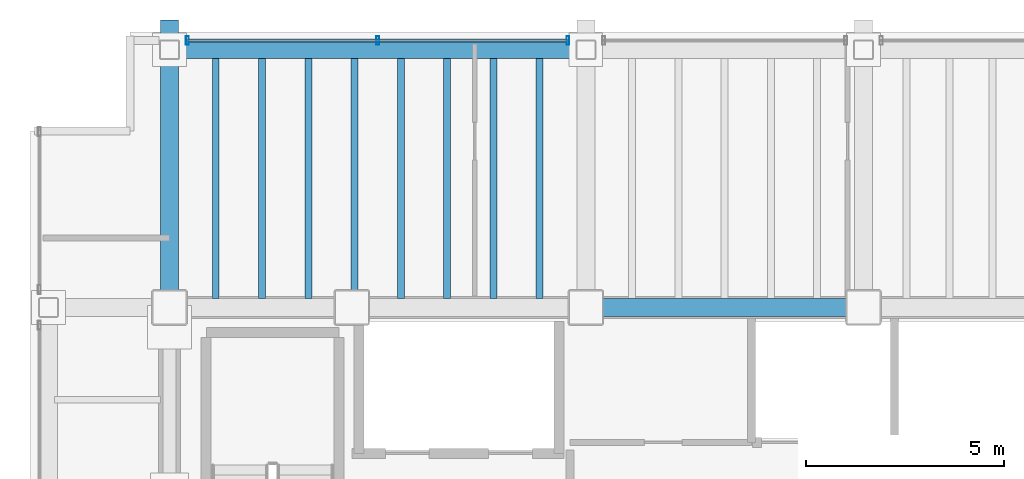
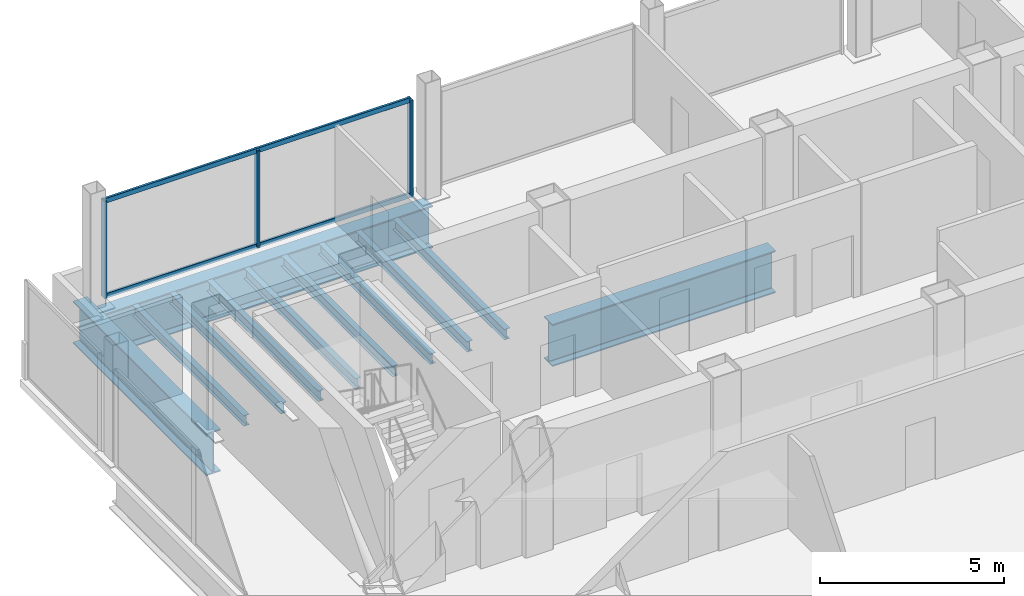
# One storey, part 9 of 19: 11 beams, 5 members, 1 element without a shape of its own.
"""IFC4 building model written with IfcOpenShell, lengths in metres."""

from ifc_helpers import new_model, si_unit, direction, frame, origin, origin_2d, place, context, subcontext, project, spatial, hollow_rectangle, i_section, extrude, material, material_profile, profile_set, type_object, element, aggregate, save


model = new_model("IFC4")

# Units and contexts
model_context = context("Model", 3, precision=1e-05, world=origin(), true_north=direction((0.0, 1.0)))
body_context = subcontext(model_context, "Body", "Model", "MODEL_VIEW")
ifc_project = project(units=[si_unit("LENGTHUNIT", "METRE"), si_unit("AREAUNIT", "SQUARE_METRE"), si_unit("VOLUMEUNIT", "CUBIC_METRE"), si_unit("PLANEANGLEUNIT", "RADIAN"), si_unit("MASSUNIT", "GRAM", prefix="KILO")], contexts=[model_context])

# Site, building, storey
site_placement = place(None, origin())
site = spatial("IfcSite", under=ifc_project, at=site_placement, CompositionType="ELEMENT")
building_placement = place(site_placement, origin())
building = spatial("IfcBuilding", under=site, at=building_placement, Name="Noeulbin Bourse Tower", CompositionType="ELEMENT")
storey_placement = place(building_placement, frame((0.0, 0.0, 169.5)))
storey = spatial("IfcBuildingStorey", under=building, at=storey_placement, Name="L42", CompositionType="ELEMENT", Elevation=169.5)

# Beams
ifc_material_1 = material(Name="Steel S355", Category="steel")
ifc_material_profile_1 = material_profile(ifc_material_1, i_section(OverallWidth=0.175048828125, OverallDepth=0.35009765625, WebThickness=0.007080078125, FlangeThickness=0.010986328125, FilletRadius=0.013916015625, at=origin_2d()), Name="H-350x175x7x11", Category="LoadBearing")
ifc_profile_set_1 = profile_set([ifc_material_profile_1], Name="Steel S355")
beam_type_1 = type_object("IfcBeamType", Name="BM-JST-350", PredefinedType="JOIST", material=ifc_profile_set_1)
for number, where, z_axis, x_axis, name in (
    (1, (14.666748046875, 38.52490234375, -0.4150390625), (0.0, 1.0, 0.0), (-1.0, 0.0, 0.0), "Tower Composite Joist L42-03"),
    (2, (15.833251953125, 38.52490234375, -0.4150390625), (0.0, 1.0, 0.0), (-1.0, 0.0, 0.0), "Tower Composite Joist L42-06"),
    (3, (17.0, 38.52490234375, -0.4150390625), (0.0, 1.0, 0.0), (-1.0, 0.0, 0.0), "Tower Composite Joist L42-09"),
    (4, (18.166748046875, 38.52490234375, -0.4150390625), (0.0, 1.0, 0.0), (-1.0, 0.0, 0.0), "Tower Composite Joist L42-12"),
    (5, (19.333251953125, 38.52490234375, -0.4150390625), (0.0, 1.0, 0.0), (-1.0, 0.0, 0.0), "Tower Composite Joist L42-15"),
    (6, (20.5, 38.52490234375, -0.4150390625), (0.0, 1.0, 0.0), (-1.0, 0.0, 0.0), "Tower Composite Joist L42-18"),
    (7, (21.666748046875, 38.52490234375, -0.4150390625), (0.0, 1.0, 0.0), (-1.0, 0.0, 0.0), "Tower Composite Joist L42-21"),
    (8, (22.833251953125, 38.52490234375, -0.4150390625), (0.0, 1.0, 0.0), (-1.0, 0.0, 0.0), "Tower Composite Joist L42-24"),
):
    element("IfcBeam", number, at=place(storey_placement, frame(where, z_axis=z_axis, x_axis=x_axis)), inside=storey, type_object=beam_type_1, Name=name, PredefinedType="JOIST", context=body_context, shape_type="SweptSolid", body=[
        extrude(i_section(OverallWidth=0.175048828125, OverallDepth=0.35009765625, WebThickness=0.007080078125, FlangeThickness=0.010986328125, FilletRadius=0.013916015625, at=origin_2d()), origin(), (0.0, 0.0, 1.0), 6.050048828125),
    ])
ifc_material_2 = material(Name="Steel S460", Category="steel")
ifc_material_profile_2 = material_profile(ifc_material_2, i_section(OverallWidth=0.449951171875, OverallDepth=1.39990234375, WebThickness=0.02392578125, FlangeThickness=0.0400390625, FilletRadius=0.02392578125, at=origin_2d()), Name="PG-1400x450x24x40", Category="LoadBearing")
ifc_profile_set_2 = profile_set([ifc_material_profile_2], Name="Steel S460")
beam_type_2 = type_object("IfcBeamType", Name="BM-TRF-1400", PredefinedType="USERDEFINED", material=ifc_profile_set_2)
beam_1_placement = place(storey_placement, frame((24.0, 38.300048828125, -0.93994140625), z_axis=(1.0, 0.0, 0.0), x_axis=(0.0, 1.0, 0.0)))
element("IfcBeam", 9, at=beam_1_placement, inside=storey, type_object=beam_type_2, Name="Tower Primary Girder EW L42-3.3", ObjectType="GIRDER", PredefinedType="USERDEFINED", context=body_context, shape_type="SweptSolid", body=[
    extrude(i_section(OverallWidth=0.449951171875, OverallDepth=1.39990234375, WebThickness=0.02392578125, FlangeThickness=0.0400390625, FilletRadius=0.02392578125, at=origin_2d()), origin(), (0.0, 0.0, 1.0), 7.0),
])
beam_2_placement = place(storey_placement, frame((13.5, 38.300048828125, -0.93994140625), z_axis=(0.0, 1.0, 0.0), x_axis=(-1.0, 0.0, 0.0)))
element("IfcBeam", 10, at=beam_2_placement, inside=storey, type_object=beam_type_2, Name="Tower Primary Girder NS L42-1.4", ObjectType="GIRDER", PredefinedType="USERDEFINED", context=body_context, shape_type="SweptSolid", body=[
    extrude(i_section(OverallWidth=0.449951171875, OverallDepth=1.39990234375, WebThickness=0.02392578125, FlangeThickness=0.0400390625, FilletRadius=0.02392578125, at=origin_2d()), origin(), (0.0, 0.0, 1.0), 7.25),
])
beam_3_placement = place(storey_placement, frame((13.5, 44.800048828125, -0.93994140625), z_axis=(1.0, 0.0, 0.0), x_axis=(0.0, 1.0, 0.0)))
element("IfcBeam", 11, at=beam_3_placement, inside=storey, type_object=beam_type_2, Name="North Spandrel L42-1", ObjectType="GIRDER", PredefinedType="USERDEFINED", context=body_context, shape_type="SweptSolid", body=[
    extrude(i_section(OverallWidth=0.449951171875, OverallDepth=1.39990234375, WebThickness=0.02392578125, FlangeThickness=0.0400390625, FilletRadius=0.02392578125, at=origin_2d()), origin(), (0.0, 0.0, 1.0), 10.5),
])

# Curtain wall, members
ifc_material_3 = material(Name="Dark Tinted Triple Glazing", Category="glass")
curtain_wall_type = type_object("IfcCurtainWallType", Name="CW-SYS-3", PredefinedType="NOTDEFINED", material=ifc_material_3)
curtain_wall_placement = place(storey_placement, origin())
curtain_wall = element("IfcCurtainWall", 12, at=curtain_wall_placement, inside=storey, type_object=curtain_wall_type, Name="Unitised Curtain Wall CW-L42-N-S1", PredefinedType="NOTDEFINED")
ifc_material_4 = material(Name="Anodised Aluminium 6063-T6", Category="aluminium")
ifc_material_profile_3 = material_profile(ifc_material_4, hollow_rectangle(XDim=0.074951171875, YDim=0.219970703125, WallThickness=0.0048828125, InnerFilletRadius=0.00244140625, OuterFilletRadius=0.0048828125, at=origin_2d()), Name="ALU-MULL-75x220x5", Category="LoadBearing")
ifc_profile_set_3 = profile_set([ifc_material_profile_3], Name="Anodised Aluminium 6063-T6")
member_type_1 = type_object("IfcMemberType", Name="CW-SYS-3-MUL", PredefinedType="MULLION", material=ifc_profile_set_3)
member_1_placement = place(storey_placement, frame((13.949951171875, 45.030029296875, -0.02001953125), z_axis=(0.0, 0.0, 1.0), x_axis=(1.0, 0.0, 0.0)))
member_1 = element("IfcMember", 13, at=member_1_placement, type_object=member_type_1, Name="Curtain Wall Mullion CW-L42-N-S1-M00", PredefinedType="MULLION", context=body_context, shape_type="SweptSolid", body=[
    extrude(hollow_rectangle(XDim=0.074951171875, YDim=0.219970703125, WallThickness=0.0048828125, InnerFilletRadius=0.00244140625, OuterFilletRadius=0.0048828125, at=origin_2d()), origin(), (0.0, 0.0, 1.0), 3.219970703125),
])
member_2_placement = place(storey_placement, frame((18.75, 45.030029296875, -0.02001953125), z_axis=(0.0, 0.0, 1.0), x_axis=(1.0, 0.0, 0.0)))
member_2 = element("IfcMember", 14, at=member_2_placement, type_object=member_type_1, Name="Curtain Wall Mullion CW-L42-N-S1-M01", PredefinedType="MULLION", context=body_context, shape_type="SweptSolid", body=[
    extrude(hollow_rectangle(XDim=0.074951171875, YDim=0.219970703125, WallThickness=0.0048828125, InnerFilletRadius=0.00244140625, OuterFilletRadius=0.0048828125, at=origin_2d()), origin(), (0.0, 0.0, 1.0), 3.219970703125),
])
member_3_placement = place(storey_placement, frame((23.550048828125, 45.030029296875, -0.02001953125), z_axis=(0.0, 0.0, 1.0), x_axis=(1.0, 0.0, 0.0)))
member_3 = element("IfcMember", 15, at=member_3_placement, type_object=member_type_1, Name="Curtain Wall Mullion CW-L42-N-S1-M02", PredefinedType="MULLION", context=body_context, shape_type="SweptSolid", body=[
    extrude(hollow_rectangle(XDim=0.074951171875, YDim=0.219970703125, WallThickness=0.0048828125, InnerFilletRadius=0.00244140625, OuterFilletRadius=0.0048828125, at=origin_2d()), origin(), (0.0, 0.0, 1.0), 3.219970703125),
])
ifc_material_profile_4 = material_profile(ifc_material_4, hollow_rectangle(XDim=0.074951171875, YDim=0.159912109375, WallThickness=0.0048828125, InnerFilletRadius=0.00244140625, OuterFilletRadius=0.0048828125, at=origin_2d()), Name="ALU-TRAN-75x160x5", Category="LoadBearing")
ifc_profile_set_4 = profile_set([ifc_material_profile_4], Name="Anodised Aluminium 6063-T6")
member_type_2 = type_object("IfcMemberType", Name="CW-SYS-3-TRN", PredefinedType="USERDEFINED", material=ifc_profile_set_4)
member_4_placement = place(storey_placement, frame((13.9599609375, 45.030029296875, 0.010009765625), z_axis=(1.0, 0.0, 0.0), x_axis=(0.0, 1.0, 0.0)))
member_4 = element("IfcMember", 16, at=member_4_placement, type_object=member_type_2, Name="Curtain Wall Transom CW-L42-N-S1-T00", ObjectType="TRANSOM", PredefinedType="USERDEFINED", context=body_context, shape_type="SweptSolid", body=[
    extrude(hollow_rectangle(XDim=0.074951171875, YDim=0.159912109375, WallThickness=0.0048828125, InnerFilletRadius=0.00244140625, OuterFilletRadius=0.0048828125, at=origin_2d()), origin(), (0.0, 0.0, 1.0), 9.580078125),
])
member_5_placement = place(storey_placement, frame((13.9599609375, 45.030029296875, 3.169921875), z_axis=(1.0, 0.0, 0.0), x_axis=(0.0, 1.0, 0.0)))
member_5 = element("IfcMember", 17, at=member_5_placement, type_object=member_type_2, Name="Curtain Wall Transom CW-L42-N-S1-T01", ObjectType="TRANSOM", PredefinedType="USERDEFINED", context=body_context, shape_type="SweptSolid", body=[
    extrude(hollow_rectangle(XDim=0.074951171875, YDim=0.159912109375, WallThickness=0.0048828125, InnerFilletRadius=0.00244140625, OuterFilletRadius=0.0048828125, at=origin_2d()), origin(), (0.0, 0.0, 1.0), 9.580078125),
])
aggregate(curtain_wall, [member_1, member_2, member_3, member_4, member_5])

save(model, "model.ifc")
